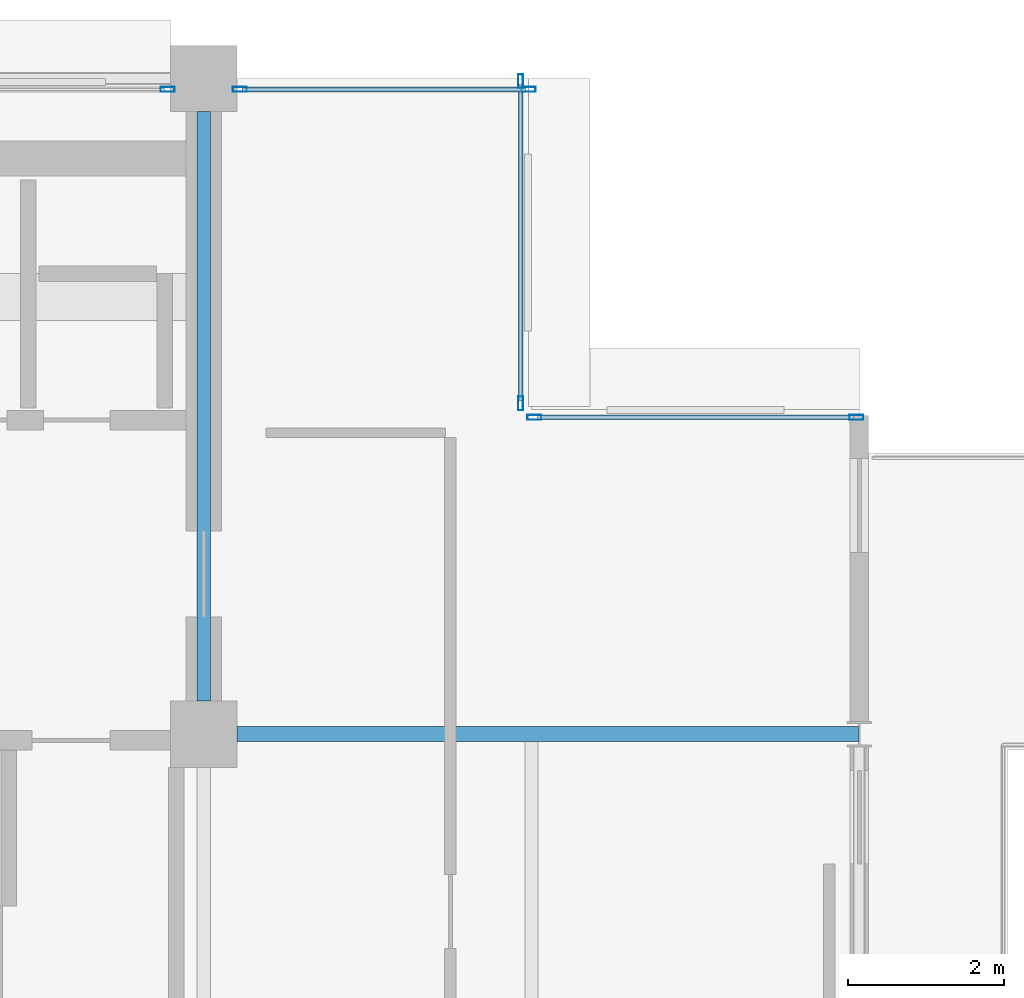
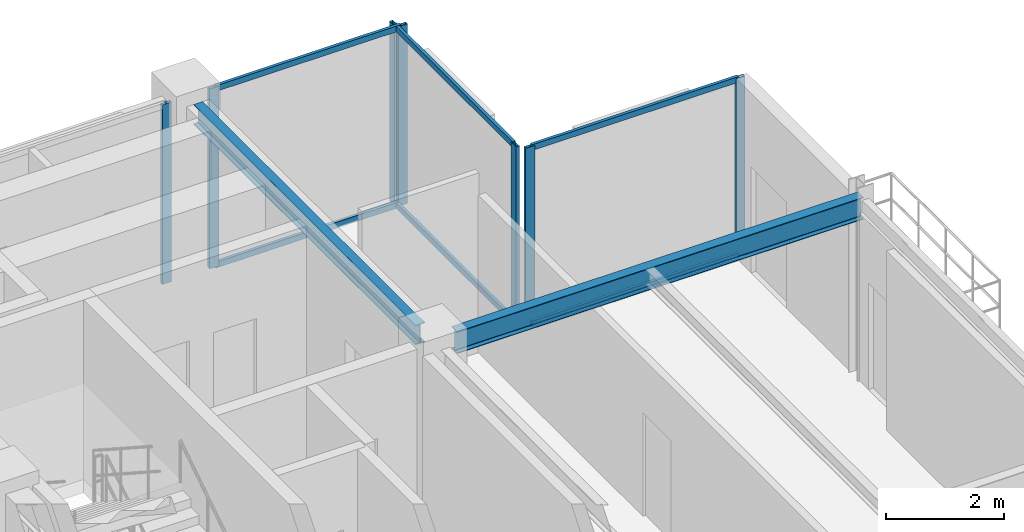
# One storey, part 18 of 25: 13 members, 2 beams, 4 elements without a shape of their own.
"""IFC4 building model written with IfcOpenShell, lengths in metres."""

from ifc_helpers import new_model, si_unit, direction, frame, origin, origin_2d, place, context, subcontext, project, spatial, hollow_rectangle, i_section, extrude, material, layer, layer_set, material_profile, profile_set, type_object, element, aggregate, save


model = new_model("IFC4")

# Units and contexts
model_context = context("Model", 3, precision=1e-05, world=origin(), true_north=direction((0.0, 1.0)))
body_context = subcontext(model_context, "Body", "Model", "MODEL_VIEW")
ifc_project = project(units=[si_unit("LENGTHUNIT", "METRE"), si_unit("AREAUNIT", "SQUARE_METRE"), si_unit("VOLUMEUNIT", "CUBIC_METRE"), si_unit("PLANEANGLEUNIT", "RADIAN"), si_unit("MASSUNIT", "GRAM", prefix="KILO")], contexts=[model_context])

# Site, building, storey
site_placement = place(None, origin())
site = spatial("IfcSite", under=ifc_project, at=site_placement, CompositionType="ELEMENT")
building_placement = place(site_placement, origin())
building = spatial("IfcBuilding", under=site, at=building_placement, Name="Nerrivon Quay Data Exchange", CompositionType="ELEMENT")
storey_placement = place(building_placement, frame((0.0, 0.0, 314.199951171875)))
storey = spatial("IfcBuildingStorey", under=building, at=storey_placement, Name="L75", CompositionType="ELEMENT", Elevation=314.199951171875)

# Beams
ifc_material_1 = material(Name="Steel Grade 350", Category="steel")
ifc_material_profile_1 = material_profile(ifc_material_1, i_section(OverallWidth=0.18994140625, OverallDepth=0.4541015625, WebThickness=0.008544921875, FlangeThickness=0.0126953125, FilletRadius=0.011474609375, at=origin_2d()), Name="460UB67.1")
ifc_profile_set_1 = profile_set([ifc_material_profile_1], Name="Steel Grade 350")
beam_type_1 = type_object("IfcBeamType", Name="BM-G6-460UB67", PredefinedType="BEAM", material=ifc_profile_set_1)
beam_1_placement = place(storey_placement, frame((17.22509765625, 33.60009765625, 3.498046875), z_axis=(1.0, 0.0, 0.0), x_axis=(0.0, 1.0, 0.0)))
element("IfcBeam", 1, at=beam_1_placement, inside=storey, type_object=beam_type_1, Name="L75 EW Girder Y=33.6 (16.8..25.2)", PredefinedType="BEAM", context=body_context, shape_type="SweptSolid", body=[
    extrude(i_section(OverallWidth=0.18994140625, OverallDepth=0.4541015625, WebThickness=0.008544921875, FlangeThickness=0.0126953125, FilletRadius=0.011474609375, at=origin_2d()), origin(), (0.0, 0.0, 1.0), 7.967041015625),
])
ifc_material_profile_2 = material_profile(ifc_material_1, i_section(OverallWidth=0.177978515625, OverallDepth=0.406005859375, WebThickness=0.0078125, FlangeThickness=0.0126953125, FilletRadius=0.011474609375, at=origin_2d()), Name="410UB59.7")
ifc_profile_set_2 = profile_set([ifc_material_profile_2], Name="Steel Grade 350")
beam_type_2 = type_object("IfcBeamType", Name="BM-J1-410UB60", PredefinedType="JOIST", material=ifc_profile_set_2)
beam_2_placement = place(storey_placement, frame((16.800048828125, 34.02490234375, 3.52197265625), z_axis=(0.0, 1.0, 0.0), x_axis=(-1.0, 0.0, 0.0)))
element("IfcBeam", 2, at=beam_2_placement, inside=storey, type_object=beam_type_2, Name="L75 NS Girder X=16.8 (33.6..42.0)", PredefinedType="JOIST", context=body_context, shape_type="SweptSolid", body=[
    extrude(i_section(OverallWidth=0.177978515625, OverallDepth=0.406005859375, WebThickness=0.0078125, FlangeThickness=0.0126953125, FilletRadius=0.011474609375, at=origin_2d()), origin(), (0.0, 0.0, 1.0), 7.550048828125),
])

# Curtain wall, member
ifc_material_2 = material(Name="Anodised aluminium 6063-T6", Category="aluminium")
ifc_layer = layer(ifc_material_2, 0.195068359375)
ifc_layer_set = layer_set([ifc_layer], Name="Anodised aluminium 6063-T6")
curtain_wall_type = type_object("IfcCurtainWallType", Name="CW-SYS-06", PredefinedType="NOTDEFINED", material=ifc_layer_set)
curtain_wall_1_placement = place(storey_placement, origin())
curtain_wall_1 = element("IfcCurtainWall", 3, at=curtain_wall_1_placement, inside=storey, type_object=curtain_wall_type, Name="L75 Unitised Curtain Wall 15", PredefinedType="NOTDEFINED")
ifc_material_profile_3 = material_profile(ifc_material_2, hollow_rectangle(XDim=0.06494140625, YDim=0.179931640625, WallThickness=0.00341796875, at=origin_2d()), Name="ALU-MULL-180x65")
ifc_profile_set_3 = profile_set([ifc_material_profile_3], Name="Anodised aluminium 6063-T6")
member_type_1 = type_object("IfcMemberType", Name="CWM-180x65", PredefinedType="MULLION", material=ifc_profile_set_3)
member_1_placement = place(storey_placement, frame((16.33740234375, 41.860107421875, 0.0), z_axis=(0.0, 0.0, 1.0), x_axis=(0.0, 1.0, 0.0)))
member_1 = element("IfcMember", 4, at=member_1_placement, type_object=member_type_1, Name="CW06 mullion 2", PredefinedType="MULLION", context=body_context, shape_type="SweptSolid", body=[
    extrude(hollow_rectangle(XDim=0.06494140625, YDim=0.179931640625, WallThickness=0.00341796875, at=origin_2d()), origin(), (0.0, 0.0, 1.0), 3.72509765625),
])
aggregate(curtain_wall_1, [member_1])

# Curtain wall, members
curtain_wall_2_placement = place(storey_placement, origin())
curtain_wall_2 = element("IfcCurtainWall", 5, at=curtain_wall_2_placement, inside=storey, type_object=curtain_wall_type, Name="L75 Unitised Curtain Wall 16", PredefinedType="NOTDEFINED")
member_2_placement = place(storey_placement, frame((17.262451171875, 41.860107421875, 0.0), z_axis=(0.0, 0.0, 1.0), x_axis=(0.0, 1.0, 0.0)))
member_2 = element("IfcMember", 6, at=member_2_placement, type_object=member_type_1, Name="CW06 mullion 1", PredefinedType="MULLION", context=body_context, shape_type="SweptSolid", body=[
    extrude(hollow_rectangle(XDim=0.06494140625, YDim=0.179931640625, WallThickness=0.00341796875, at=origin_2d()), origin(), (0.0, 0.0, 1.0), 3.72509765625),
])
member_3_placement = place(storey_placement, frame((20.96240234375, 41.860107421875, 0.0), z_axis=(0.0, 0.0, 1.0), x_axis=(0.0, 1.0, 0.0)))
member_3 = element("IfcMember", 7, at=member_3_placement, type_object=member_type_1, Name="CW06 mullion 2", PredefinedType="MULLION", context=body_context, shape_type="SweptSolid", body=[
    extrude(hollow_rectangle(XDim=0.06494140625, YDim=0.179931640625, WallThickness=0.00341796875, at=origin_2d()), origin(), (0.0, 0.0, 1.0), 3.72509765625),
])

curtain_wall_3_placement = place(storey_placement, origin())
curtain_wall_3 = element("IfcCurtainWall", 8, at=curtain_wall_3_placement, inside=storey, type_object=curtain_wall_type, Name="L75 Unitised Curtain Wall 17", PredefinedType="NOTDEFINED")
member_4_placement = place(storey_placement, frame((20.860107421875, 41.96240234375, 0.0), z_axis=(0.0, 0.0, 1.0), x_axis=(1.0, 0.0, 0.0)))
member_4 = element("IfcMember", 9, at=member_4_placement, type_object=member_type_1, Name="CW06 mullion 1", PredefinedType="MULLION", context=body_context, shape_type="SweptSolid", body=[
    extrude(hollow_rectangle(XDim=0.06494140625, YDim=0.179931640625, WallThickness=0.00341796875, at=origin_2d()), origin(), (0.0, 0.0, 1.0), 3.72509765625),
])
member_5_placement = place(storey_placement, frame((20.860107421875, 37.83740234375, 0.0), z_axis=(0.0, 0.0, 1.0), x_axis=(1.0, 0.0, 0.0)))
member_5 = element("IfcMember", 10, at=member_5_placement, type_object=member_type_1, Name="CW06 mullion 2", PredefinedType="MULLION", context=body_context, shape_type="SweptSolid", body=[
    extrude(hollow_rectangle(XDim=0.06494140625, YDim=0.179931640625, WallThickness=0.00341796875, at=origin_2d()), origin(), (0.0, 0.0, 1.0), 3.72509765625),
])

curtain_wall_4_placement = place(storey_placement, origin())
curtain_wall_4 = element("IfcCurtainWall", 11, at=curtain_wall_4_placement, inside=storey, type_object=curtain_wall_type, Name="L75 Unitised Curtain Wall 18", PredefinedType="NOTDEFINED")
member_6_placement = place(storey_placement, frame((21.03759765625, 37.659912109375, 0.0), z_axis=(0.0, 0.0, 1.0), x_axis=(0.0, 1.0, 0.0)))
member_6 = element("IfcMember", 12, at=member_6_placement, type_object=member_type_1, Name="CW06 mullion 1", PredefinedType="MULLION", context=body_context, shape_type="SweptSolid", body=[
    extrude(hollow_rectangle(XDim=0.06494140625, YDim=0.179931640625, WallThickness=0.00341796875, at=origin_2d()), origin(), (0.0, 0.0, 1.0), 3.72509765625),
])
member_7_placement = place(storey_placement, frame((25.16259765625, 37.659912109375, 0.0), z_axis=(0.0, 0.0, 1.0), x_axis=(0.0, 1.0, 0.0)))
member_7 = element("IfcMember", 13, at=member_7_placement, type_object=member_type_1, Name="CW06 mullion 2", PredefinedType="MULLION", context=body_context, shape_type="SweptSolid", body=[
    extrude(hollow_rectangle(XDim=0.06494140625, YDim=0.179931640625, WallThickness=0.00341796875, at=origin_2d()), origin(), (0.0, 0.0, 1.0), 3.72509765625),
])

# Member
ifc_material_profile_4 = material_profile(ifc_material_2, hollow_rectangle(XDim=0.06005859375, YDim=0.1201171875, WallThickness=0.003173828125, at=origin_2d()), Name="ALU-TRAN-120x60")
ifc_profile_set_4 = profile_set([ifc_material_profile_4], Name="Anodised aluminium 6063-T6")
member_type_2 = type_object("IfcMemberType", Name="CWT-120x60", PredefinedType="USERDEFINED", material=ifc_profile_set_4)
member_8_placement = place(storey_placement, frame((17.300048828125, 41.860107421875, 0.032470703125), z_axis=(1.0, 0.0, 0.0), x_axis=(0.0, 1.0, 0.0)))
member_8 = element("IfcMember", 14, at=member_8_placement, type_object=member_type_2, Name="CW06 transom 1.1", ObjectType="TRANSOM", PredefinedType="USERDEFINED", context=body_context, shape_type="SweptSolid", body=[
    extrude(hollow_rectangle(XDim=0.06005859375, YDim=0.1201171875, WallThickness=0.003173828125, at=origin_2d()), origin(), (0.0, 0.0, 1.0), 3.625),
])

member_9_placement = place(storey_placement, frame((17.300048828125, 41.860107421875, 3.692626953125), z_axis=(1.0, 0.0, 0.0), x_axis=(0.0, 1.0, 0.0)))
member_9 = element("IfcMember", 15, at=member_9_placement, type_object=member_type_2, Name="CW06 transom 1.2", ObjectType="TRANSOM", PredefinedType="USERDEFINED", context=body_context, shape_type="SweptSolid", body=[
    extrude(hollow_rectangle(XDim=0.06005859375, YDim=0.1201171875, WallThickness=0.003173828125, at=origin_2d()), origin(), (0.0, 0.0, 1.0), 3.625),
])

aggregate(curtain_wall_2, [member_2, member_3, member_8, member_9])

member_10_placement = place(storey_placement, frame((20.860107421875, 41.925048828125, 0.032470703125), z_axis=(0.0, -1.0, 0.0), x_axis=(1.0, 0.0, 0.0)))
member_10 = element("IfcMember", 16, at=member_10_placement, type_object=member_type_2, Name="CW06 transom 1.1", ObjectType="TRANSOM", PredefinedType="USERDEFINED", context=body_context, shape_type="SweptSolid", body=[
    extrude(hollow_rectangle(XDim=0.06005859375, YDim=0.1201171875, WallThickness=0.003173828125, at=origin_2d()), origin(), (0.0, 0.0, 1.0), 4.050048828125),
])

member_11_placement = place(storey_placement, frame((20.860107421875, 41.925048828125, 3.692626953125), z_axis=(0.0, -1.0, 0.0), x_axis=(1.0, 0.0, 0.0)))
member_11 = element("IfcMember", 17, at=member_11_placement, type_object=member_type_2, Name="CW06 transom 1.2", ObjectType="TRANSOM", PredefinedType="USERDEFINED", context=body_context, shape_type="SweptSolid", body=[
    extrude(hollow_rectangle(XDim=0.06005859375, YDim=0.1201171875, WallThickness=0.003173828125, at=origin_2d()), origin(), (0.0, 0.0, 1.0), 4.050048828125),
])

aggregate(curtain_wall_3, [member_4, member_5, member_10, member_11])

member_12_placement = place(storey_placement, frame((21.074951171875, 37.659912109375, 0.032470703125), z_axis=(1.0, 0.0, 0.0), x_axis=(0.0, 1.0, 0.0)))
member_12 = element("IfcMember", 18, at=member_12_placement, type_object=member_type_2, Name="CW06 transom 1.1", ObjectType="TRANSOM", PredefinedType="USERDEFINED", context=body_context, shape_type="SweptSolid", body=[
    extrude(hollow_rectangle(XDim=0.06005859375, YDim=0.1201171875, WallThickness=0.003173828125, at=origin_2d()), origin(), (0.0, 0.0, 1.0), 4.050048828125),
])

member_13_placement = place(storey_placement, frame((21.074951171875, 37.659912109375, 3.692626953125), z_axis=(1.0, 0.0, 0.0), x_axis=(0.0, 1.0, 0.0)))
member_13 = element("IfcMember", 19, at=member_13_placement, type_object=member_type_2, Name="CW06 transom 1.2", ObjectType="TRANSOM", PredefinedType="USERDEFINED", context=body_context, shape_type="SweptSolid", body=[
    extrude(hollow_rectangle(XDim=0.06005859375, YDim=0.1201171875, WallThickness=0.003173828125, at=origin_2d()), origin(), (0.0, 0.0, 1.0), 4.050048828125),
])

aggregate(curtain_wall_4, [member_6, member_7, member_12, member_13])

save(model, "model.ifc")
